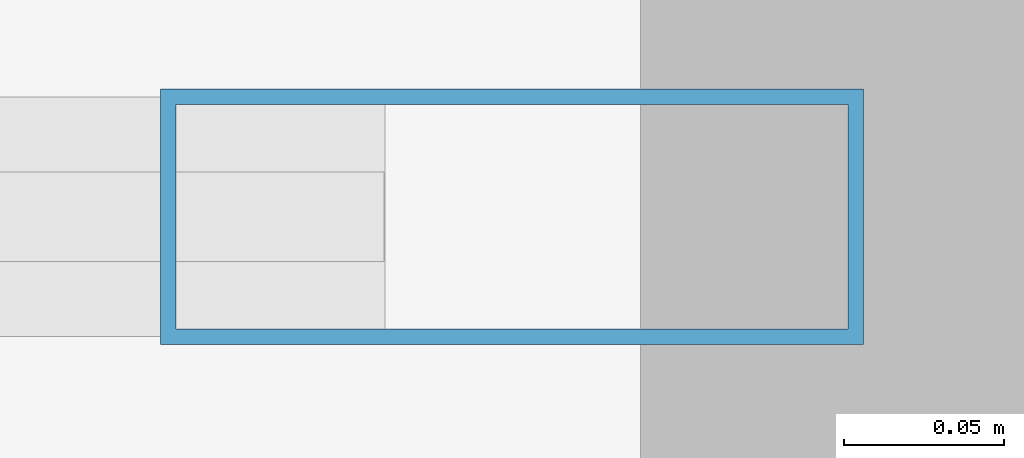
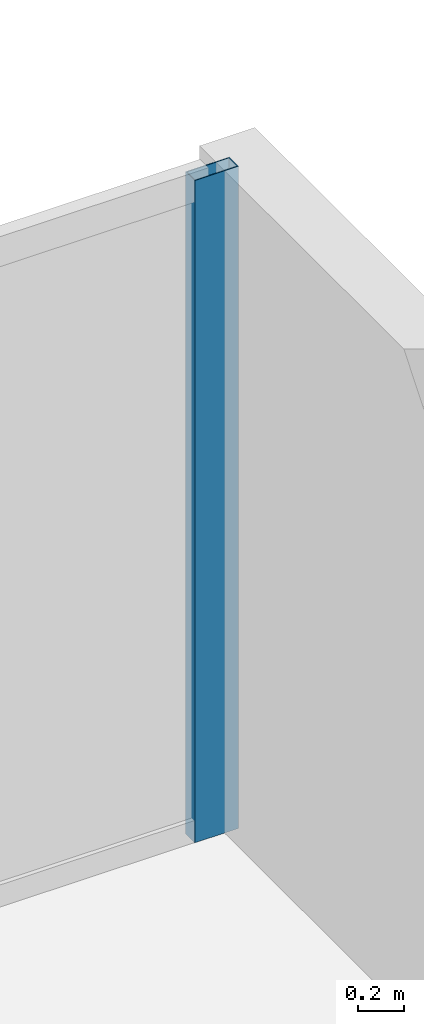
# One storey, part 12 of 26: 1 member, 1 element without a shape of its own.
"""IFC4 building model written with IfcOpenShell, lengths in metres."""

from ifc_helpers import new_model, si_unit, direction, frame, origin, origin_with_axes, origin_2d, place, context, subcontext, project, spatial, hollow_rectangle, extrude, source, transform, mapped, material, layer, layer_set, material_profile, profile_set, type_object, element, aggregate, save


model = new_model("IFC4")

# Units and contexts
model_context = context("Model", 3, precision=1e-05, world=origin(), true_north=direction((0.0, 1.0)))
body_context = subcontext(model_context, "Body", "Model", "MODEL_VIEW")
ifc_project = project(units=[si_unit("LENGTHUNIT", "METRE"), si_unit("AREAUNIT", "SQUARE_METRE"), si_unit("VOLUMEUNIT", "CUBIC_METRE"), si_unit("PLANEANGLEUNIT", "RADIAN"), si_unit("MASSUNIT", "GRAM", prefix="KILO")], contexts=[model_context])

# Site, building, storey
site_placement = place(None, origin())
site = spatial("IfcSite", under=ifc_project, at=site_placement, CompositionType="ELEMENT")
building_placement = place(site_placement, origin())
building = spatial("IfcBuilding", under=site, at=building_placement, Name="Kolvaren Waterfront Exchange", CompositionType="ELEMENT")
storey_placement = place(building_placement, frame((0.0, 0.0, 87.89990234375)))
storey = spatial("IfcBuildingStorey", under=building, at=storey_placement, Name="L22", CompositionType="ELEMENT", Elevation=87.89990234375)

# Curtain wall, member
ifc_material_1 = material(Name="Anodised bronze aluminium 6063-T6", Category="aluminium")
ifc_layer = layer(ifc_material_1, 0.219970703125, Name="Anodised bronze aluminium 6063-T6")
ifc_layer_set = layer_set([ifc_layer], Name="Anodised bronze aluminium 6063-T6")
curtain_wall_type = type_object("IfcCurtainWallType", Name="ARC-CW-SYS1", PredefinedType="USERDEFINED", material=ifc_layer_set)
curtain_wall_placement = place(storey_placement, origin())
curtain_wall = element("IfcCurtainWall", 1, at=curtain_wall_placement, inside=storey, type_object=curtain_wall_type, Name="L22 stick curtain wall CW1 (CW-L22-EN)", ObjectType="STICK CURTAIN WALL", PredefinedType="USERDEFINED")
ifc_material_2 = material(Name="Anodised aluminium 6063-T6", Category="aluminium")
ifc_material_profile = material_profile(ifc_material_2, hollow_rectangle(XDim=0.080078125, YDim=0.219970703125, WallThickness=0.0048828125, at=origin_2d()), Name="ALU-MUL-220x80x5")
ifc_profile_set = profile_set([ifc_material_profile], Name="Anodised aluminium 6063-T6")
member_type = type_object("IfcMemberType", Name="ARC-CWM-220", PredefinedType="MULLION", material=ifc_profile_set)
shared_shape = source(origin_with_axes(), body_context, "Body", "SweptSolid", [
    extrude(hollow_rectangle(XDim=0.080078125, YDim=0.219970703125, WallThickness=0.0048828125, at=origin_2d()), origin(), (0.0, 0.0, 1.0), 3.5400390625),
])
member_placement = place(storey_placement, frame((54.659912109375, 23.9599609375, 0.0), z_axis=(0.0, 0.0, 1.0), x_axis=(0.0, 1.0, 0.0)))
member = element("IfcMember", 2, at=member_placement, type_object=member_type, Name="CW1 mullion 5", PredefinedType="MULLION", context=body_context, shape_type="MappedRepresentation", body=[
    mapped(shared_shape, transform((0.0, 0.0, 0.0), x_axis=(1.0, 0.0, 0.0), y_axis=(0.0, 1.0, 0.0), z_axis=(0.0, 0.0, 1.0), scale=1.0)),
])
aggregate(curtain_wall, [member])

save(model, "model.ifc")
